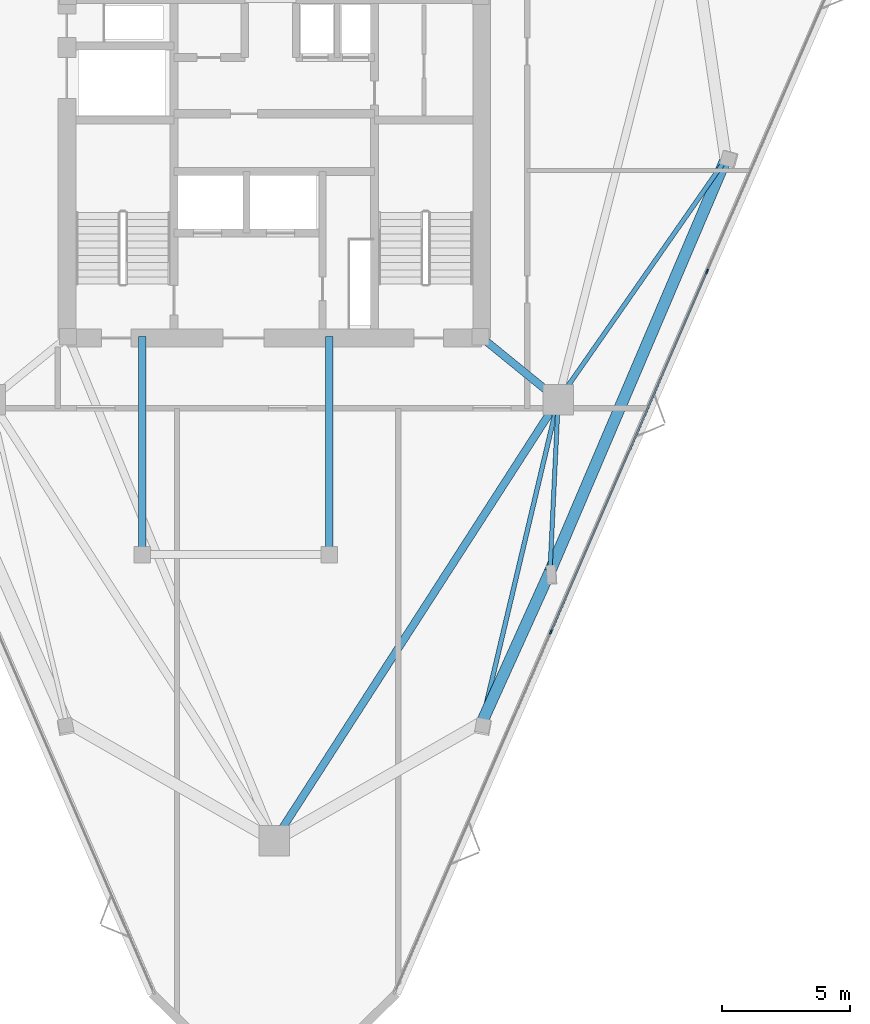
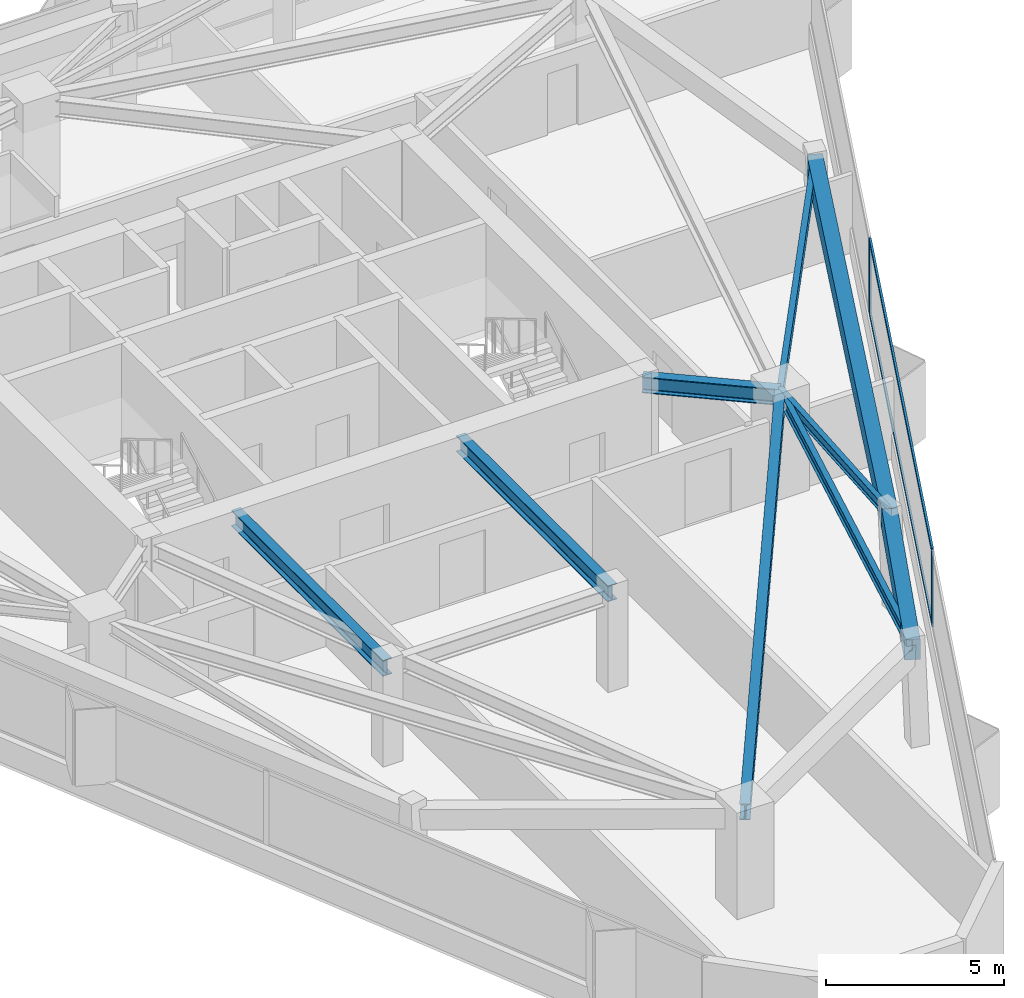
# One storey, part 4 of 12: 9 beams, 4 members, 1 element without a shape of its own.
"""IFC4 building model written with IfcOpenShell, lengths in metres."""

from ifc_helpers import new_model, si_unit, direction, frame, origin, origin_2d, place, context, subcontext, project, spatial, rectangle, i_section, extrude, material, layer, layer_set, material_profile, profile_set, type_object, element, aggregate, save


model = new_model("IFC4")

# Units and contexts
model_context = context("Model", 3, precision=1e-05, world=origin(), true_north=direction((0.0, 1.0)))
body_context = subcontext(model_context, "Body", "Model", "MODEL_VIEW")
ifc_project = project(units=[si_unit("LENGTHUNIT", "METRE"), si_unit("AREAUNIT", "SQUARE_METRE"), si_unit("VOLUMEUNIT", "CUBIC_METRE"), si_unit("PLANEANGLEUNIT", "RADIAN"), si_unit("MASSUNIT", "GRAM", prefix="KILO")], contexts=[model_context])

# Site, building, storey
site_placement = place(None, origin())
site = spatial("IfcSite", under=ifc_project, at=site_placement, CompositionType="ELEMENT")
building_placement = place(site_placement, origin())
building = spatial("IfcBuilding", under=site, at=building_placement, Name="Talyreon Biosciences Tower", CompositionType="ELEMENT")
storey_placement = place(building_placement, frame((0.0, 0.0, 246.199951171875)))
storey = spatial("IfcBuildingStorey", under=building, at=storey_placement, Name="L65", CompositionType="ELEMENT", Elevation=246.199951171875)

# Curtain wall, members
ifc_material_1 = material(Name="Thermally broken aluminium and low-E glazing", Category="aluminium")
ifc_layer = layer(ifc_material_1, 0.175048828125)
ifc_layer_set = layer_set([ifc_layer], Name="Thermally broken aluminium and low-E glazing")
curtain_wall_type = type_object("IfcCurtainWallType", Name="CurtainWall_Zone5CompLab", PredefinedType="NOTDEFINED", material=ifc_layer_set)
curtain_wall_placement = place(storey_placement, origin())
curtain_wall = element("IfcCurtainWall", 1, at=curtain_wall_placement, inside=storey, type_object=curtain_wall_type, Name="L65 Unitised Curtain Wall FCW-L65-08", PredefinedType="NOTDEFINED")
ifc_material_2 = material(Name="Anodised thermally broken aluminium", Category="aluminium")
ifc_material_profile_1 = material_profile(ifc_material_2, rectangle(XDim=0.06494140625, YDim=0.179931640625, at=origin_2d()), Name="ALUM MULLION 65x180")
ifc_profile_set_1 = profile_set([ifc_material_profile_1], Name="Anodised thermally broken aluminium")
member_type_1 = type_object("IfcMemberType", Name="CWMullion_65x180", PredefinedType="MULLION", material=ifc_profile_set_1)
member_1_placement = place(storey_placement, frame((82.900634765625, 63.8994140625, 0.81005859375), z_axis=(0.0, 0.0, 1.0), x_axis=(0.91758594353, -0.397537465198, 0.0)))
member_1 = element("IfcMember", 2, at=member_1_placement, type_object=member_type_1, Name="CW6 mullion 2", PredefinedType="MULLION", context=body_context, shape_type="SweptSolid", body=[
    extrude(rectangle(XDim=0.06494140625, YDim=0.179931640625, at=origin_2d()), origin(), (0.0, 0.0, 1.0), 2.590087890625),
])
member_2_placement = place(storey_placement, frame((76.79931640625, 49.816650390625, 0.81005859375), z_axis=(0.0, 0.0, 1.0), x_axis=(0.91758594353, -0.397537465198, 0.0)))
member_2 = element("IfcMember", 3, at=member_2_placement, type_object=member_type_1, Name="CW6 mullion 3", PredefinedType="MULLION", context=body_context, shape_type="SweptSolid", body=[
    extrude(rectangle(XDim=0.06494140625, YDim=0.179931640625, at=origin_2d()), origin(), (0.0, 0.0, 1.0), 2.590087890625),
])
ifc_material_profile_2 = material_profile(ifc_material_2, rectangle(XDim=0.06494140625, YDim=0.139892578125, at=origin_2d()), Name="ALUM TRANSOM 65x140")
ifc_profile_set_2 = profile_set([ifc_material_profile_2], Name="Anodised thermally broken aluminium")
member_type_2 = type_object("IfcMemberType", Name="CWTransom_65x140", PredefinedType="USERDEFINED", material=ifc_profile_set_2)
member_3_placement = place(storey_placement, frame((82.8876953125, 63.86962890625, 0.842529296875), z_axis=(-0.39753705097, -0.917586122991, 0.0), x_axis=(0.917586122991, -0.39753705097, 0.0)))
member_3 = element("IfcMember", 4, at=member_3_placement, type_object=member_type_2, Name="CW6 transom 2.1", ObjectType="TRANSOM", PredefinedType="USERDEFINED", context=body_context, shape_type="SweptSolid", body=[
    extrude(rectangle(XDim=0.06494140625, YDim=0.139892578125, at=origin_2d()), origin(), (0.0, 0.0, 1.0), 15.28271484375),
])
member_4_placement = place(storey_placement, frame((82.8876953125, 63.86962890625, 3.367431640625), z_axis=(-0.39753705097, -0.917586122991, 0.0), x_axis=(0.917586122991, -0.39753705097, 0.0)))
member_4 = element("IfcMember", 5, at=member_4_placement, type_object=member_type_2, Name="CW6 transom 2.2", ObjectType="TRANSOM", PredefinedType="USERDEFINED", context=body_context, shape_type="SweptSolid", body=[
    extrude(rectangle(XDim=0.06494140625, YDim=0.139892578125, at=origin_2d()), origin(), (0.0, 0.0, 1.0), 15.28271484375),
])
aggregate(curtain_wall, [member_1, member_2, member_3, member_4])

# Beams
ifc_material_3 = material(Name="Precast concrete C45/55", Category="concrete")
ifc_material_profile_3 = material_profile(ifc_material_3, rectangle(XDim=0.449951171875, YDim=0.699951171875, at=origin_2d()), Name="RCB 450x700")
ifc_profile_set_3 = profile_set([ifc_material_profile_3], Name="Precast concrete C45/55")
beam_type_1 = type_object("IfcBeamType", Name="ExpressedSpandrel_450x700", PredefinedType="SPANDREL", material=ifc_profile_set_3)
beam_1_placement = place(storey_placement, frame((74.109130859375, 46.298828125, 3.050048828125), z_axis=(0.411724713148, 0.91130826869, 0.0), x_axis=(-0.91130826869, 0.411724713148, 0.0)))
element("IfcBeam", 6, at=beam_1_placement, inside=storey, type_object=beam_type_1, Name="L65 Expressed Horizontal Concrete Spandrel 02", PredefinedType="SPANDREL", context=body_context, shape_type="SweptSolid", body=[
    extrude(rectangle(XDim=0.449951171875, YDim=0.699951171875, at=origin_2d()), origin(), (0.0, 0.0, 1.0), 6.44677734375),
])
beam_2_placement = place(storey_placement, frame((76.763427734375, 52.173828125, 3.050048828125), z_axis=(0.392288526038, 0.919842221437, 0.0), x_axis=(-0.919842221437, 0.392288526038, 0.0)))
element("IfcBeam", 7, at=beam_2_placement, inside=storey, type_object=beam_type_1, Name="L65 Expressed Horizontal Concrete Spandrel 03", PredefinedType="SPANDREL", context=body_context, shape_type="SweptSolid", body=[
    extrude(rectangle(XDim=0.449951171875, YDim=0.699951171875, at=origin_2d()), origin(), (0.0, 0.0, 1.0), 17.496826171875),
])
ifc_material_4 = material(Name="Steel SM355", Category="steel")
ifc_material_profile_4 = material_profile(ifc_material_4, i_section(OverallWidth=0.300048828125, OverallDepth=0.550048828125, WebThickness=0.014892578125, FlangeThickness=0.029052734375, FilletRadius=0.027099609375, at=origin_2d()), Name="HE550B")
ifc_profile_set_4 = profile_set([ifc_material_profile_4], Name="Steel SM355")
beam_type_2 = type_object("IfcBeamType", Name="SteelBeam_HE550B", PredefinedType="BEAM", material=ifc_profile_set_4)
beam_3_placement = place(storey_placement, frame((66.0, 41.6669921875, 3.125), z_axis=(0.541463723609, 0.840724114092, 0.0), x_axis=(-0.840724114092, 0.541463723609, 0.0)))
element("IfcBeam", 8, at=beam_3_placement, inside=storey, type_object=beam_type_2, Name="L65 Mega-Ring Girder 1", PredefinedType="BEAM", context=body_context, shape_type="SweptSolid", body=[
    extrude(i_section(OverallWidth=0.300048828125, OverallDepth=0.550048828125, WebThickness=0.014892578125, FlangeThickness=0.029052734375, FilletRadius=0.027099609375, at=origin_2d()), origin(), (0.0, 0.0, 1.0), 20.474365234375),
])
beam_4_placement = place(storey_placement, frame((74.050048828125, 61.35009765625, 3.125), z_axis=(0.775755154013, -0.631034025249, 0.0), x_axis=(0.631034025249, 0.775755154013, 0.0)))
element("IfcBeam", 9, at=beam_4_placement, inside=storey, type_object=beam_type_2, Name="L65 Radial Primary Girder 2", PredefinedType="BEAM", context=body_context, shape_type="SweptSolid", body=[
    extrude(i_section(OverallWidth=0.300048828125, OverallDepth=0.550048828125, WebThickness=0.014892578125, FlangeThickness=0.029052734375, FilletRadius=0.027099609375, at=origin_2d()), origin(), (0.0, 0.0, 1.0), 3.913818359375),
])
for number, where, z_axis, x_axis, name in (
    (10, (60.85009765625, 52.840087890625, 3.125), (0.0, 1.0, 0.0), (-1.0, 0.0, 0.0), "L65 Crown Shaft Tie Girder W"),
    (11, (68.14990234375, 52.840087890625, 3.125), (0.0, 1.0, 0.0), (-1.0, 0.0, 0.0), "L65 Crown Shaft Tie Girder E"),
):
    element("IfcBeam", number, at=place(storey_placement, frame(where, z_axis=z_axis, x_axis=x_axis)), inside=storey, type_object=beam_type_2, Name=name, PredefinedType="BEAM", context=body_context, shape_type="SweptSolid", body=[
        extrude(i_section(OverallWidth=0.300048828125, OverallDepth=0.550048828125, WebThickness=0.014892578125, FlangeThickness=0.029052734375, FilletRadius=0.027099609375, at=origin_2d()), origin(), (0.0, 0.0, 1.0), 8.510009765625),
    ])
ifc_material_profile_5 = material_profile(ifc_material_4, i_section(OverallWidth=0.169921875, OverallDepth=0.360107421875, WebThickness=0.008056640625, FlangeThickness=0.0126953125, FilletRadius=0.01806640625, at=origin_2d()), Name="IPE360")
ifc_profile_set_5 = profile_set([ifc_material_profile_5], Name="Steel SM355")
beam_type_3 = type_object("IfcBeamType", Name="SteelJoist_IPE360", PredefinedType="JOIST", material=ifc_profile_set_5)
beam_5_placement = place(storey_placement, frame((77.086181640625, 58.88037109375, 3.219970703125), z_axis=(-0.048069594223, -0.998843988875, 0.0), x_axis=(0.998843988875, -0.048069594223, 0.0)))
element("IfcBeam", 12, at=beam_5_placement, inside=storey, type_object=beam_type_3, Name="L65 Radial Composite Floor Joist PL-SE", PredefinedType="JOIST", context=body_context, shape_type="SweptSolid", body=[
    extrude(i_section(OverallWidth=0.169921875, OverallDepth=0.360107421875, WebThickness=0.008056640625, FlangeThickness=0.0126953125, FilletRadius=0.01806640625, at=origin_2d()), origin(), (0.0, 0.0, 1.0), 6.71435546875),
])
ifc_material_profile_6 = material_profile(ifc_material_4, i_section(OverallWidth=0.179931640625, OverallDepth=0.39990234375, WebThickness=0.008544921875, FlangeThickness=0.013427734375, FilletRadius=0.02099609375, at=origin_2d()), Name="IPE400")
ifc_profile_set_6 = profile_set([ifc_material_profile_6], Name="Steel SM355")
beam_type_4 = type_object("IfcBeamType", Name="SteelJoist_IPE400", PredefinedType="JOIST", material=ifc_profile_set_6)
beam_6_placement = place(storey_placement, frame((77.086181640625, 58.88037109375, 3.199951171875), z_axis=(-0.230262167452, -0.973128631909, 0.0), x_axis=(0.973128631909, -0.230262167452, 0.0)))
element("IfcBeam", 13, at=beam_6_placement, inside=storey, type_object=beam_type_4, Name="L65 Radial Composite Floor Joist PC-SE1", PredefinedType="JOIST", context=body_context, shape_type="SweptSolid", body=[
    extrude(i_section(OverallWidth=0.179931640625, OverallDepth=0.39990234375, WebThickness=0.008544921875, FlangeThickness=0.013427734375, FilletRadius=0.02099609375, at=origin_2d()), origin(), (0.0, 0.0, 1.0), 12.928955078125),
])
beam_7_placement = place(storey_placement, frame((77.086181640625, 58.88037109375, 3.199951171875), z_axis=(0.571679505807, 0.820477021397, 0.0), x_axis=(-0.820477021397, 0.571679505807, 0.0)))
element("IfcBeam", 14, at=beam_7_placement, inside=storey, type_object=beam_type_4, Name="L65 Radial Composite Floor Joist PC-SE2", PredefinedType="JOIST", context=body_context, shape_type="SweptSolid", body=[
    extrude(i_section(OverallWidth=0.179931640625, OverallDepth=0.39990234375, WebThickness=0.008544921875, FlangeThickness=0.013427734375, FilletRadius=0.02099609375, at=origin_2d()), origin(), (0.0, 0.0, 1.0), 11.441650390625),
])

save(model, "model.ifc")
